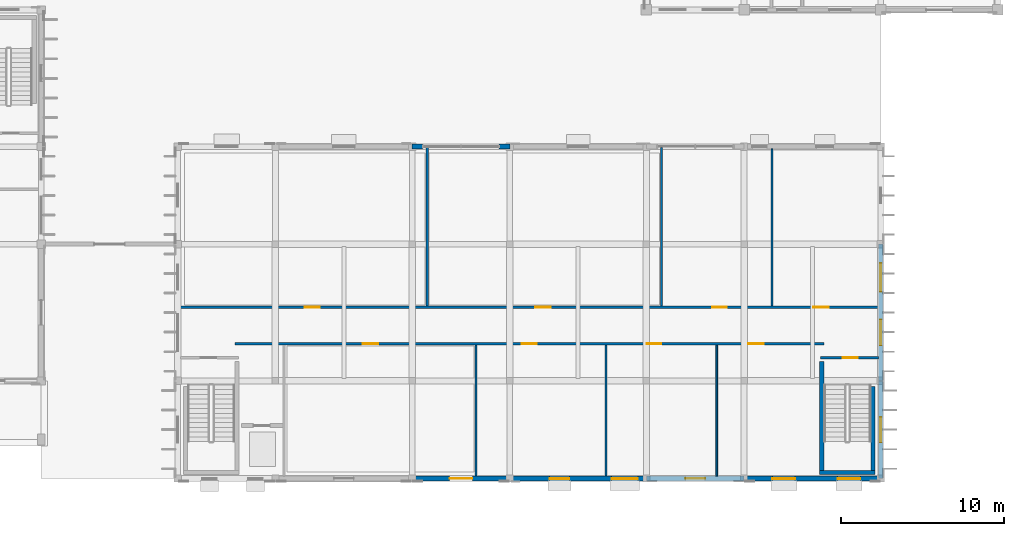
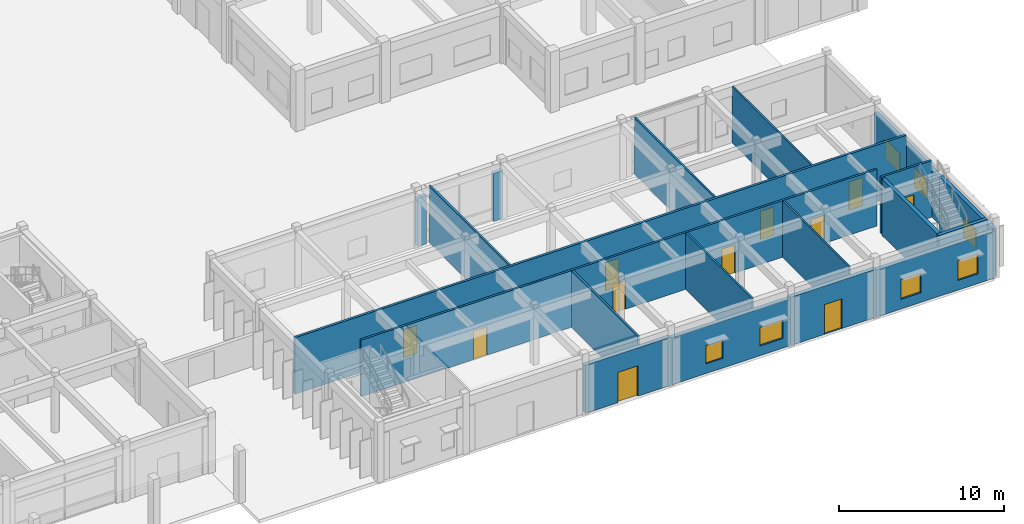
# One storey, part 42 of 67: 20 walls, 11 doors, 7 windows, 18 openings.
"""IFC4 building model written with IfcOpenShell, lengths in metres."""

from ifc_helpers import new_model, si_unit, direction, frame, frame_2d, origin, place, context, subcontext, project, spatial, rectangle, extrude, material, layer, layer_set, type_object, element, fill, save


model = new_model("IFC4")

# Units and contexts
model_context = context("Model", 3, precision=1e-05, world=origin(), true_north=direction((0.0, 1.0)))
body_context = subcontext(model_context, "Body", "Model", "MODEL_VIEW")
ifc_project = project(units=[si_unit("LENGTHUNIT", "METRE"), si_unit("AREAUNIT", "SQUARE_METRE"), si_unit("VOLUMEUNIT", "CUBIC_METRE"), si_unit("PLANEANGLEUNIT", "RADIAN"), si_unit("MASSUNIT", "GRAM", prefix="KILO"), si_unit("THERMODYNAMICTEMPERATUREUNIT", "KELVIN")], contexts=[model_context])

# Site, building, storey
site_placement = place(None, origin())
site = spatial("IfcSite", under=ifc_project, at=site_placement, CompositionType="ELEMENT")
building_placement = place(site_placement, origin())
building = spatial("IfcBuilding", under=site, at=building_placement, Name="Thalorik Housing Commons", CompositionType="ELEMENT")
storey_placement = place(building_placement, origin())
storey = spatial("IfcBuildingStorey", under=building, at=storey_placement, Name="L00", CompositionType="ELEMENT", Elevation=0.0)

# Walls
ifc_material_1 = material(Name="Concrete C40/50", Category="concrete")
ifc_layer_1 = layer(ifc_material_1, 0.25, Name="Concrete C40/50", Category="concrete")
ifc_layer_set_1 = layer_set([ifc_layer_1], Name="Concrete C40/50")
wall_type_1 = type_object("IfcWallType", Name="ARC-WAL-CORE-250", PredefinedType="SHEAR", material=ifc_layer_set_1)
wall_1_placement = place(storey_placement, frame((163.175048828125, 15.60009765625, 0.0), z_axis=(0.0, 0.0, 1.0), x_axis=(0.0, -1.0, 0.0)))
element("IfcWall", 1, at=wall_1_placement, inside=storey, type_object=wall_type_1, Name="L00 Stair ST-N2 Structural Support Wall L", PredefinedType="SHEAR", context=body_context, shape_type="SweptSolid", body=[
    extrude(rectangle(XDim=6.7001953125, YDim=0.25, at=frame_2d((3.35009765625, 0.0))), origin(), (0.0, 0.0, 1.0), 4.199951171875),
])
wall_2_placement = place(storey_placement, frame((166.324951171875, 14.050048828125, 0.0), z_axis=(0.0, 0.0, 1.0), x_axis=(0.0, -1.0, 0.0)))
element("IfcWall", 2, at=wall_2_placement, inside=storey, type_object=wall_type_1, Name="L00 Stair ST-N2 Structural Support Wall R", PredefinedType="SHEAR", context=body_context, shape_type="SweptSolid", body=[
    extrude(rectangle(XDim=5.150146484375, YDim=0.25, at=frame_2d((2.5751953125, 0.0))), origin(), (0.0, 0.0, 1.0), 4.199951171875),
])
wall_3_placement = place(storey_placement, frame((163.050048828125, 8.77490234375, 0.0), z_axis=(0.0, 0.0, 1.0), x_axis=(1.0, 0.0, 0.0)))
element("IfcWall", 3, at=wall_3_placement, inside=storey, type_object=wall_type_1, Name="L00 Stair ST-N2 Structural Support Wall F", PredefinedType="SHEAR", context=body_context, shape_type="SweptSolid", body=[
    extrude(rectangle(XDim=3.39990234375, YDim=0.25, at=frame_2d((1.699951171875, 0.0))), origin(), (0.0, 0.0, 1.0), 4.199951171875),
])

# Wall, openings, doors
ifc_material_2 = material(Name="Masonry fire-rated corridor wall", Category="masonry")
ifc_layer_2 = layer(ifc_material_2, 0.14990234375, Name="Masonry fire-rated corridor wall", Category="masonry")
ifc_layer_set_2 = layer_set([ifc_layer_2], Name="Masonry fire-rated corridor wall")
wall_type_2 = type_object("IfcWallType", Name="ARC-WAL-CORR-150", PredefinedType="PARTITIONING", material=ifc_layer_set_2)
wall_4_placement = place(storey_placement, frame((127.10009765625, 16.679931640625, 0.0), z_axis=(0.0, 0.0, 1.0), x_axis=(1.0, 0.0, 0.0)))
wall_4 = element("IfcWall", 4, at=wall_4_placement, inside=storey, type_object=wall_type_2, Name="L00 Nursery South Corridor Wall", PredefinedType="PARTITIONING", context=body_context, shape_type="SweptSolid", body=[
    extrude(rectangle(XDim=36.199951171875, YDim=0.14990234375, at=frame_2d((18.10009765625, 0.0))), origin(), (0.0, 0.0, 1.0), 4.199951171875),
])
opening_1_placement = place(wall_4_placement, frame((7.878173828125, 0.0, 0.0)))
opening_1 = element("IfcOpeningElement", 5, at=opening_1_placement, cuts=wall_4, Name="Opening ID-2190", PredefinedType="OPENING", context=body_context, shape_type="SweptSolid", body=[
    extrude(rectangle(XDim=0.949951171875, YDim=2.10009765625, at=frame_2d((0.47509765625, 1.050048828125))), frame((0.0, 0.0849609375, 0.0), z_axis=(0.0, -1.0, 0.0), x_axis=(1.0, 0.0, 0.0)), (0.0, 0.0, 1.0), 0.169921875),
])
opening_2_placement = place(wall_4_placement, frame((17.64990234375, 0.0, 0.0)))
opening_2 = element("IfcOpeningElement", 6, at=opening_2_placement, cuts=wall_4, Name="Opening ID-2191", PredefinedType="OPENING", context=body_context, shape_type="SweptSolid", body=[
    extrude(rectangle(XDim=0.89990234375, YDim=2.10009765625, at=frame_2d((0.449951171875, 1.050048828125))), frame((0.0, 0.0849609375, 0.0), z_axis=(0.0, -1.0, 0.0), x_axis=(1.0, 0.0, 0.0)), (0.0, 0.0, 1.0), 0.169921875),
])
opening_3_placement = place(wall_4_placement, frame((25.319091796875, 0.0, 0.0)))
opening_3 = element("IfcOpeningElement", 7, at=opening_3_placement, cuts=wall_4, Name="Opening ID-2192", PredefinedType="OPENING", context=body_context, shape_type="SweptSolid", body=[
    extrude(rectangle(XDim=0.89990234375, YDim=2.10009765625, at=frame_2d((0.449951171875, 1.050048828125))), frame((0.0, 0.0849609375, 0.0), z_axis=(0.0, -1.0, 0.0), x_axis=(1.0, 0.0, 0.0)), (0.0, 0.0, 1.0), 0.169921875),
])
opening_4_placement = place(wall_4_placement, frame((31.549072265625, 0.0, 0.0)))
opening_4 = element("IfcOpeningElement", 8, at=opening_4_placement, cuts=wall_4, Name="Opening ID-2193", PredefinedType="OPENING", context=body_context, shape_type="SweptSolid", body=[
    extrude(rectangle(XDim=0.949951171875, YDim=2.10009765625, at=frame_2d((0.47509765625, 1.050048828125))), frame((0.0, 0.0849609375, 0.0), z_axis=(0.0, -1.0, 0.0), x_axis=(1.0, 0.0, 0.0)), (0.0, 0.0, 1.0), 0.169921875),
])
ifc_material_3 = material(Name="Engineered oak timber", Category="wood")
door_type_1 = type_object("IfcDoorType", Name="ARC-DR-INT-900", OperationType="NOTDEFINED", PredefinedType="DOOR", material=ifc_material_3)
door_1_placement = place(opening_2_placement, origin())
door_1 = element("IfcDoor", 9, at=door_1_placement, inside=storey, type_object=door_type_1, Name="Milk Preparation Room Door", OperationType="SINGLE_SWING_RIGHT", OverallHeight=2.10009765625, OverallWidth=0.89990234375, PredefinedType="DOOR", context=body_context, shape_type="SweptSolid", body=[
    extrude(rectangle(XDim=0.89990234375, YDim=2.10009765625, at=frame_2d((0.449951171875, 1.050048828125))), frame((0.0, 0.02490234375, 0.0), z_axis=(0.0, -1.0, 0.0), x_axis=(1.0, 0.0, 0.0)), (0.0, 0.0, 1.0), 0.050048828125),
])
fill(opening_2, door_1)
door_2_placement = place(opening_3_placement, origin())
door_2 = element("IfcDoor", 10, at=door_2_placement, inside=storey, type_object=door_type_1, Name="Changing Room Door", OperationType="SINGLE_SWING_LEFT", OverallHeight=2.10009765625, OverallWidth=0.89990234375, PredefinedType="DOOR", context=body_context, shape_type="SweptSolid", body=[
    extrude(rectangle(XDim=0.89990234375, YDim=2.10009765625, at=frame_2d((0.449951171875, 1.050048828125))), frame((0.0, 0.02490234375, 0.0), z_axis=(0.0, -1.0, 0.0), x_axis=(1.0, 0.0, 0.0)), (0.0, 0.0, 1.0), 0.050048828125),
])
fill(opening_3, door_2)
door_type_2 = type_object("IfcDoorType", Name="ARC-DR-INT-950", OperationType="NOTDEFINED", PredefinedType="DOOR", material=ifc_material_3)
door_3_placement = place(opening_1_placement, origin())
door_3 = element("IfcDoor", 11, at=door_3_placement, inside=storey, type_object=door_type_2, Name="Infant Playroom Door", OperationType="SINGLE_SWING_LEFT", OverallHeight=2.10009765625, OverallWidth=0.949951171875, PredefinedType="DOOR", context=body_context, shape_type="SweptSolid", body=[
    extrude(rectangle(XDim=0.949951171875, YDim=2.10009765625, at=frame_2d((0.47509765625, 1.050048828125))), frame((0.0, 0.02490234375, 0.0), z_axis=(0.0, -1.0, 0.0), x_axis=(1.0, 0.0, 0.0)), (0.0, 0.0, 1.0), 0.050048828125),
])
fill(opening_1, door_3)
door_4_placement = place(opening_4_placement, origin())
door_4 = element("IfcDoor", 12, at=door_4_placement, inside=storey, type_object=door_type_2, Name="Nursery Administration Door", OperationType="SINGLE_SWING_RIGHT", OverallHeight=2.10009765625, OverallWidth=0.949951171875, PredefinedType="DOOR", context=body_context, shape_type="SweptSolid", body=[
    extrude(rectangle(XDim=0.949951171875, YDim=2.10009765625, at=frame_2d((0.47509765625, 1.050048828125))), frame((0.0, 0.02490234375, 0.0), z_axis=(0.0, -1.0, 0.0), x_axis=(1.0, 0.0, 0.0)), (0.0, 0.0, 1.0), 0.050048828125),
])
fill(opening_4, door_4)

ifc_layer_3 = layer(ifc_material_2, 0.1650390625, Name="Masonry fire-rated corridor wall", Category="masonry")
ifc_layer_set_3 = layer_set([ifc_layer_3], Name="Masonry fire-rated corridor wall")
wall_type_3 = type_object("IfcWallType", Name="ARC-WAL-CORR-165", PredefinedType="PARTITIONING", material=ifc_layer_set_3)
wall_5_placement = place(storey_placement, frame((123.7470703125, 18.919921875, 0.0), z_axis=(0.0, 0.0, 1.0), x_axis=(1.0, 0.0, 0.0)))
wall_5 = element("IfcWall", 13, at=wall_5_placement, inside=storey, type_object=wall_type_3, Name="L00 Nursery North Corridor Wall", PredefinedType="PARTITIONING", context=body_context, shape_type="SweptSolid", body=[
    extrude(rectangle(XDim=42.906005859375, YDim=0.1650390625, at=frame_2d((21.453125, 0.0))), origin(), (0.0, 0.0, 1.0), 4.199951171875),
])
opening_5_placement = place(wall_5_placement, frame((7.63720703125, 0.0, 0.0)))
opening_5 = element("IfcOpeningElement", 14, at=opening_5_placement, cuts=wall_5, Name="Opening ID-2194", PredefinedType="OPENING", context=body_context, shape_type="SweptSolid", body=[
    extrude(rectangle(XDim=0.949951171875, YDim=2.10009765625, at=frame_2d((0.47509765625, 1.050048828125))), frame((0.0, 0.092529296875, 0.0), z_axis=(0.0, -1.0, 0.0), x_axis=(1.0, 0.0, 0.0)), (0.0, 0.0, 1.0), 0.18505859375),
])
opening_6_placement = place(wall_5_placement, frame((21.811767578125, 0.0, 0.0)))
opening_6 = element("IfcOpeningElement", 15, at=opening_6_placement, cuts=wall_5, Name="Opening ID-2195", PredefinedType="OPENING", context=body_context, shape_type="SweptSolid", body=[
    extrude(rectangle(XDim=0.949951171875, YDim=2.10009765625, at=frame_2d((0.47509765625, 1.050048828125))), frame((0.0, 0.092529296875, 0.0), z_axis=(0.0, -1.0, 0.0), x_axis=(1.0, 0.0, 0.0)), (0.0, 0.0, 1.0), 0.18505859375),
])
opening_7_placement = place(wall_5_placement, frame((32.690185546875, 0.0, 0.0)))
opening_7 = element("IfcOpeningElement", 16, at=opening_7_placement, cuts=wall_5, Name="Opening ID-2196", PredefinedType="OPENING", context=body_context, shape_type="SweptSolid", body=[
    extrude(rectangle(XDim=0.89990234375, YDim=2.10009765625, at=frame_2d((0.449951171875, 1.050048828125))), frame((0.0, 0.092529296875, 0.0), z_axis=(0.0, -1.0, 0.0), x_axis=(1.0, 0.0, 0.0)), (0.0, 0.0, 1.0), 0.18505859375),
])
opening_8_placement = place(wall_5_placement, frame((38.90478515625, 0.0, 0.0)))
opening_8 = element("IfcOpeningElement", 17, at=opening_8_placement, cuts=wall_5, Name="Opening ID-2197", PredefinedType="OPENING", context=body_context, shape_type="SweptSolid", body=[
    extrude(rectangle(XDim=0.949951171875, YDim=2.10009765625, at=frame_2d((0.47509765625, 1.050048828125))), frame((0.0, 0.092529296875, 0.0), z_axis=(0.0, -1.0, 0.0), x_axis=(1.0, 0.0, 0.0)), (0.0, 0.0, 1.0), 0.18505859375),
])
door_5_placement = place(opening_7_placement, origin())
door_5 = element("IfcDoor", 18, at=door_5_placement, inside=storey, type_object=door_type_1, Name="Children's Bathroom Door", OperationType="SINGLE_SWING_LEFT", OverallHeight=2.10009765625, OverallWidth=0.89990234375, PredefinedType="DOOR", context=body_context, shape_type="SweptSolid", body=[
    extrude(rectangle(XDim=0.89990234375, YDim=2.10009765625, at=frame_2d((0.449951171875, 1.050048828125))), frame((0.0, 0.02490234375, 0.0), z_axis=(0.0, -1.0, 0.0), x_axis=(1.0, 0.0, 0.0)), (0.0, 0.0, 1.0), 0.050048828125),
])
fill(opening_7, door_5)
door_6_placement = place(opening_5_placement, origin())
door_6 = element("IfcDoor", 19, at=door_6_placement, inside=storey, type_object=door_type_2, Name="Toddler Playroom Door", OperationType="SINGLE_SWING_LEFT", OverallHeight=2.10009765625, OverallWidth=0.949951171875, PredefinedType="DOOR", context=body_context, shape_type="SweptSolid", body=[
    extrude(rectangle(XDim=0.949951171875, YDim=2.10009765625, at=frame_2d((0.47509765625, 1.050048828125))), frame((0.0, 0.02490234375, 0.0), z_axis=(0.0, -1.0, 0.0), x_axis=(1.0, 0.0, 0.0)), (0.0, 0.0, 1.0), 0.050048828125),
])
fill(opening_5, door_6)
door_7_placement = place(opening_6_placement, origin())
door_7 = element("IfcDoor", 20, at=door_7_placement, inside=storey, type_object=door_type_2, Name="Preschool Classroom Door", OperationType="SINGLE_SWING_RIGHT", OverallHeight=2.10009765625, OverallWidth=0.949951171875, PredefinedType="DOOR", context=body_context, shape_type="SweptSolid", body=[
    extrude(rectangle(XDim=0.949951171875, YDim=2.10009765625, at=frame_2d((0.47509765625, 1.050048828125))), frame((0.0, 0.02490234375, 0.0), z_axis=(0.0, -1.0, 0.0), x_axis=(1.0, 0.0, 0.0)), (0.0, 0.0, 1.0), 0.050048828125),
])
fill(opening_6, door_7)
door_8_placement = place(opening_8_placement, origin())
door_8 = element("IfcDoor", 21, at=door_8_placement, inside=storey, type_object=door_type_2, Name="Nursery Accessible Bathroom Door", OperationType="SINGLE_SWING_RIGHT", OverallHeight=2.10009765625, OverallWidth=0.949951171875, PredefinedType="DOOR", context=body_context, shape_type="SweptSolid", body=[
    extrude(rectangle(XDim=0.949951171875, YDim=2.10009765625, at=frame_2d((0.47509765625, 1.050048828125))), frame((0.0, 0.02490234375, 0.0), z_axis=(0.0, -1.0, 0.0), x_axis=(1.0, 0.0, 0.0)), (0.0, 0.0, 1.0), 0.050048828125),
])
fill(opening_8, door_8)

# Wall, opening, door
ifc_material_4 = material(Name="White precast concrete C40/50", Category="concrete")
ifc_layer_4 = layer(ifc_material_4, 0.2900390625, Name="White precast concrete C40/50", Category="concrete")
ifc_layer_set_4 = layer_set([ifc_layer_4], Name="White precast concrete C40/50")
wall_type_4 = type_object("IfcWallType", Name="ARC-WAL-EXT-290", PredefinedType="STANDARD", material=ifc_layer_set_4)
wall_6_placement = place(storey_placement, frame((138.0, 8.39990234375, 0.0), z_axis=(0.0, 0.0, 1.0), x_axis=(1.0, 0.0, 0.0)))
wall_6 = element("IfcWall", 22, at=wall_6_placement, inside=storey, type_object=wall_type_4, Name="L00 Exterior Wall WAL-NURS-L00-1325", PredefinedType="STANDARD", context=body_context, shape_type="SweptSolid", body=[
    extrude(rectangle(XDim=6.0, YDim=0.2900390625, at=frame_2d((3.0, 0.0))), origin(), (0.0, 0.0, 1.0), 3.5849609375),
])
opening_9_placement = place(wall_6_placement, frame((2.300048828125, 0.0, 0.0)))
opening_9 = element("IfcOpeningElement", 23, at=opening_9_placement, cuts=wall_6, Name="Opening ED-0443", PredefinedType="OPENING", context=body_context, shape_type="SweptSolid", body=[
    extrude(rectangle(XDim=1.39990234375, YDim=2.25, at=frame_2d((0.699951171875, 1.125))), frame((0.0, 0.155029296875, 0.0), z_axis=(0.0, -1.0, 0.0), x_axis=(1.0, 0.0, 0.0)), (0.0, 0.0, 1.0), 0.31005859375),
])
ifc_material_5 = material(Name="Anodised aluminium and laminated safety glass", Category="aluminium")
door_type_3 = type_object("IfcDoorType", Name="ARC-DR-EXT-NURS-1400", OperationType="NOTDEFINED", PredefinedType="DOOR", material=ifc_material_5)
door_9_placement = place(opening_9_placement, frame((1.39990234375, 0.0, 0.0), z_axis=(0.0, 0.0, 1.0), x_axis=(-1.0, 0.0, 0.0)))
door_9 = element("IfcDoor", 24, at=door_9_placement, inside=storey, type_object=door_type_3, Name="L00 Nursery Exit Door 3", OperationType="SLIDING_TO_LEFT", OverallHeight=2.25, OverallWidth=1.39990234375, PredefinedType="DOOR", context=body_context, shape_type="SweptSolid", body=[
    extrude(rectangle(XDim=1.39990234375, YDim=2.25, at=frame_2d((0.699951171875, 1.125))), frame((0.0, 0.02490234375, 0.0), z_axis=(0.0, -1.0, 0.0), x_axis=(1.0, 0.0, 0.0)), (0.0, 0.0, 1.0), 0.050048828125),
])
fill(opening_9, door_9)

# Wall, openings, windows
wall_7_placement = place(storey_placement, frame((144.0, 8.39990234375, 0.0), z_axis=(0.0, 0.0, 1.0), x_axis=(1.0, 0.0, 0.0)))
wall_7 = element("IfcWall", 25, at=wall_7_placement, inside=storey, type_object=wall_type_4, Name="L00 Exterior Wall WAL-NURS-L00-1326", PredefinedType="STANDARD", context=body_context, shape_type="SweptSolid", body=[
    extrude(rectangle(XDim=8.39990234375, YDim=0.2900390625, at=frame_2d((4.199951171875, 0.0))), origin(), (0.0, 0.0, 1.0), 3.485107421875),
])
opening_10_placement = place(wall_7_placement, frame((2.455078125, 0.0, 0.719970703125)))
opening_10 = element("IfcOpeningElement", 26, at=opening_10_placement, cuts=wall_7, Name="Opening W-04", PredefinedType="OPENING", context=body_context, shape_type="SweptSolid", body=[
    extrude(rectangle(XDim=1.199951171875, YDim=1.35009765625, at=frame_2d((0.60009765625, 0.675048828125))), frame((0.0, 0.155029296875, 0.0), z_axis=(0.0, -1.0, 0.0), x_axis=(1.0, 0.0, 0.0)), (0.0, 0.0, 1.0), 0.31005859375),
])
opening_11_placement = place(wall_7_placement, frame((6.2548828125, 0.0, 0.719970703125)))
opening_11 = element("IfcOpeningElement", 27, at=opening_11_placement, cuts=wall_7, Name="Opening W-54", PredefinedType="OPENING", context=body_context, shape_type="SweptSolid", body=[
    extrude(rectangle(XDim=1.6201171875, YDim=1.3798828125, at=frame_2d((0.81005859375, 0.68994140625))), frame((0.0, 0.155029296875, 0.0), z_axis=(0.0, -1.0, 0.0), x_axis=(1.0, 0.0, 0.0)), (0.0, 0.0, 1.0), 0.31005859375),
])
ifc_material_6 = material(Name="Anodised aluminium and solar-control low-E glass", Category="aluminium")
window_type_1 = type_object("IfcWindowType", Name="ARC-WIN-04", PartitioningType="SINGLE_PANEL", PredefinedType="WINDOW", material=ifc_material_6)
window_1_placement = place(opening_10_placement, origin())
window_1 = element("IfcWindow", 28, at=window_1_placement, inside=storey, type_object=window_type_1, Name="L00 Facade Window 2362", OverallHeight=1.35009765625, OverallWidth=1.199951171875, PartitioningType="SINGLE_PANEL", PredefinedType="WINDOW", context=body_context, shape_type="SweptSolid", body=[
    extrude(rectangle(XDim=1.199951171875, YDim=1.35009765625, at=frame_2d((0.60009765625, 0.675048828125))), frame((0.0, 0.030029296875, 0.0), z_axis=(0.0, -1.0, 0.0), x_axis=(1.0, 0.0, 0.0)), (0.0, 0.0, 1.0), 0.06005859375),
])
fill(opening_10, window_1)
window_type_2 = type_object("IfcWindowType", Name="ARC-WIN-54", PartitioningType="DOUBLE_PANEL_VERTICAL", PredefinedType="WINDOW", material=ifc_material_6)
window_2_placement = place(opening_11_placement, origin())
window_2 = element("IfcWindow", 29, at=window_2_placement, inside=storey, type_object=window_type_2, Name="L00 Facade Window 2363", OverallHeight=1.3798828125, OverallWidth=1.6201171875, PartitioningType="DOUBLE_PANEL_VERTICAL", PredefinedType="WINDOW", context=body_context, shape_type="SweptSolid", body=[
    extrude(rectangle(XDim=1.6201171875, YDim=1.3798828125, at=frame_2d((0.81005859375, 0.68994140625))), frame((0.0, 0.030029296875, 0.0), z_axis=(0.0, -1.0, 0.0), x_axis=(1.0, 0.0, 0.0)), (0.0, 0.0, 1.0), 0.06005859375),
])
fill(opening_11, window_2)

# Wall, opening, door
wall_8_placement = place(storey_placement, frame((152.39990234375, 8.39990234375, 0.0), z_axis=(0.0, 0.0, 1.0), x_axis=(1.0, 0.0, 0.0)))
wall_8 = element("IfcWall", 30, at=wall_8_placement, inside=storey, type_object=wall_type_4, Name="L00 Exterior Wall WAL-NURS-L00-1327", PredefinedType="STANDARD", context=body_context, shape_type="SweptSolid", body=[
    extrude(rectangle(XDim=6.0, YDim=0.2900390625, at=frame_2d((3.0, 0.0))), origin(), (0.0, 0.0, 1.0), 3.5849609375),
])
opening_12_placement = place(wall_8_placement, frame((2.39990234375, 0.0, 0.0)))
opening_12 = element("IfcOpeningElement", 31, at=opening_12_placement, cuts=wall_8, Name="Opening ED-0444", PredefinedType="OPENING", context=body_context, shape_type="SweptSolid", body=[
    extrude(rectangle(XDim=1.199951171875, YDim=2.199951171875, at=frame_2d((0.60009765625, 1.10009765625))), frame((0.0, 0.155029296875, 0.0), z_axis=(0.0, -1.0, 0.0), x_axis=(1.0, 0.0, 0.0)), (0.0, 0.0, 1.0), 0.31005859375),
])
door_type_4 = type_object("IfcDoorType", Name="ARC-DR-EXT-EXIT-1200", OperationType="NOTDEFINED", PredefinedType="DOOR", material=ifc_material_5)
door_10_placement = place(opening_12_placement, frame((1.199951171875, 0.0, 0.0), z_axis=(0.0, 0.0, 1.0), x_axis=(-1.0, 0.0, 0.0)))
door_10 = element("IfcDoor", 32, at=door_10_placement, inside=storey, type_object=door_type_4, Name="L00 Nursery Exit Door 5", OperationType="SINGLE_SWING_LEFT", OverallHeight=2.199951171875, OverallWidth=1.199951171875, PredefinedType="DOOR", context=body_context, shape_type="SweptSolid", body=[
    extrude(rectangle(XDim=1.199951171875, YDim=2.199951171875, at=frame_2d((0.60009765625, 1.10009765625))), frame((0.0, 0.02490234375, 0.0), z_axis=(0.0, -1.0, 0.0), x_axis=(1.0, 0.0, 0.0)), (0.0, 0.0, 1.0), 0.050048828125),
])
fill(opening_12, door_10)

# Wall, openings, windows
wall_9_placement = place(storey_placement, frame((158.39990234375, 8.39990234375, 0.0), z_axis=(0.0, 0.0, 1.0), x_axis=(1.0, 0.0, 0.0)))
wall_9 = element("IfcWall", 33, at=wall_9_placement, inside=storey, type_object=wall_type_4, Name="L00 Exterior Wall WAL-NURS-L00-1328", PredefinedType="STANDARD", context=body_context, shape_type="SweptSolid", body=[
    extrude(rectangle(XDim=8.400146484375, YDim=0.2900390625, at=frame_2d((4.2001953125, 0.0))), origin(), (0.0, 0.0, 1.0), 3.485107421875),
])
opening_13_placement = place(wall_9_placement, frame((1.7451171875, 0.0, 0.719970703125)))
opening_13 = element("IfcOpeningElement", 34, at=opening_13_placement, cuts=wall_9, Name="Opening W-08", PredefinedType="OPENING", context=body_context, shape_type="SweptSolid", body=[
    extrude(rectangle(XDim=1.39990234375, YDim=1.449951171875, at=frame_2d((0.699951171875, 0.72509765625))), frame((0.0, 0.155029296875, 0.0), z_axis=(0.0, -1.0, 0.0), x_axis=(1.0, 0.0, 0.0)), (0.0, 0.0, 1.0), 0.31005859375),
])
opening_14_placement = place(wall_9_placement, frame((5.7548828125, 0.0, 0.719970703125)))
opening_14 = element("IfcOpeningElement", 35, at=opening_14_placement, cuts=wall_9, Name="Opening W-08", PredefinedType="OPENING", context=body_context, shape_type="SweptSolid", body=[
    extrude(rectangle(XDim=1.39990234375, YDim=1.449951171875, at=frame_2d((0.699951171875, 0.72509765625))), frame((0.0, 0.155029296875, 0.0), z_axis=(0.0, -1.0, 0.0), x_axis=(1.0, 0.0, 0.0)), (0.0, 0.0, 1.0), 0.31005859375),
])
window_type_3 = type_object("IfcWindowType", Name="ARC-WIN-08", PartitioningType="SINGLE_PANEL", PredefinedType="WINDOW", material=ifc_material_6)
window_3_placement = place(opening_13_placement, origin())
window_3 = element("IfcWindow", 36, at=window_3_placement, inside=storey, type_object=window_type_3, Name="L00 Facade Window 2364", OverallHeight=1.449951171875, OverallWidth=1.39990234375, PartitioningType="SINGLE_PANEL", PredefinedType="WINDOW", context=body_context, shape_type="SweptSolid", body=[
    extrude(rectangle(XDim=1.39990234375, YDim=1.449951171875, at=frame_2d((0.699951171875, 0.72509765625))), frame((0.0, 0.030029296875, 0.0), z_axis=(0.0, -1.0, 0.0), x_axis=(1.0, 0.0, 0.0)), (0.0, 0.0, 1.0), 0.06005859375),
])
fill(opening_13, window_3)
window_4_placement = place(opening_14_placement, origin())
window_4 = element("IfcWindow", 37, at=window_4_placement, inside=storey, type_object=window_type_3, Name="L00 Facade Window 2365", OverallHeight=1.449951171875, OverallWidth=1.39990234375, PartitioningType="SINGLE_PANEL", PredefinedType="WINDOW", context=body_context, shape_type="SweptSolid", body=[
    extrude(rectangle(XDim=1.39990234375, YDim=1.449951171875, at=frame_2d((0.699951171875, 0.72509765625))), frame((0.0, 0.030029296875, 0.0), z_axis=(0.0, -1.0, 0.0), x_axis=(1.0, 0.0, 0.0)), (0.0, 0.0, 1.0), 0.06005859375),
])
fill(opening_14, window_4)

# Wall, opening, window
wall_10_placement = place(storey_placement, frame((166.800048828125, 8.39990234375, 0.0), z_axis=(0.0, 0.0, 1.0), x_axis=(0.0, 1.0, 0.0)))
wall_10 = element("IfcWall", 38, at=wall_10_placement, inside=storey, type_object=wall_type_4, Name="L00 Exterior Wall WAL-NURS-L00-1329", PredefinedType="STANDARD", context=body_context, shape_type="SweptSolid", body=[
    extrude(rectangle(XDim=6.0, YDim=0.2900390625, at=frame_2d((3.0, 0.0))), origin(), (0.0, 0.0, 1.0), 3.5849609375),
])
opening_15_placement = place(wall_10_placement, frame((2.22509765625, 0.0, 0.719970703125)))
opening_15 = element("IfcOpeningElement", 39, at=opening_15_placement, cuts=wall_10, Name="Opening W-12", PredefinedType="OPENING", context=body_context, shape_type="SweptSolid", body=[
    extrude(rectangle(XDim=1.550048828125, YDim=1.39990234375, at=frame_2d((0.77490234375, 0.699951171875))), frame((0.0, 0.155029296875, 0.0), z_axis=(0.0, -1.0, 0.0), x_axis=(1.0, 0.0, 0.0)), (0.0, 0.0, 1.0), 0.31005859375),
])
window_type_4 = type_object("IfcWindowType", Name="ARC-WIN-12", PartitioningType="SINGLE_PANEL", PredefinedType="WINDOW", material=ifc_material_6)
window_5_placement = place(opening_15_placement, origin())
window_5 = element("IfcWindow", 40, at=window_5_placement, inside=storey, type_object=window_type_4, Name="L00 Facade Window 2366", OverallHeight=1.39990234375, OverallWidth=1.550048828125, PartitioningType="SINGLE_PANEL", PredefinedType="WINDOW", context=body_context, shape_type="SweptSolid", body=[
    extrude(rectangle(XDim=1.550048828125, YDim=1.39990234375, at=frame_2d((0.77490234375, 0.699951171875))), frame((0.0, 0.030029296875, 0.0), z_axis=(0.0, -1.0, 0.0), x_axis=(1.0, 0.0, 0.0)), (0.0, 0.0, 1.0), 0.06005859375),
])
fill(opening_15, window_5)

# Wall, openings, windows
wall_11_placement = place(storey_placement, frame((166.800048828125, 14.39990234375, 0.0), z_axis=(0.0, 0.0, 1.0), x_axis=(0.0, 1.0, 0.0)))
wall_11 = element("IfcWall", 41, at=wall_11_placement, inside=storey, type_object=wall_type_4, Name="L00 Exterior Wall WAL-NURS-L00-1330", PredefinedType="STANDARD", context=body_context, shape_type="SweptSolid", body=[
    extrude(rectangle(XDim=8.400146484375, YDim=0.2900390625, at=frame_2d((4.2001953125, 0.0))), origin(), (0.0, 0.0, 1.0), 3.485107421875),
])
opening_16_placement = place(wall_11_placement, frame((2.179931640625, 0.0, 0.719970703125)))
opening_16 = element("IfcOpeningElement", 42, at=opening_16_placement, cuts=wall_11, Name="Opening W-53", PredefinedType="OPENING", context=body_context, shape_type="SweptSolid", body=[
    extrude(rectangle(XDim=1.580078125, YDim=1.47998046875, at=frame_2d((0.7900390625, 0.739990234375))), frame((0.0, 0.155029296875, 0.0), z_axis=(0.0, -1.0, 0.0), x_axis=(1.0, 0.0, 0.0)), (0.0, 0.0, 1.0), 0.31005859375),
])
opening_17_placement = place(wall_11_placement, frame((5.489990234375, 0.0, 0.719970703125)))
opening_17 = element("IfcOpeningElement", 43, at=opening_17_placement, cuts=wall_11, Name="Opening W-17", PredefinedType="OPENING", context=body_context, shape_type="SweptSolid", body=[
    extrude(rectangle(XDim=1.75, YDim=1.449951171875, at=frame_2d((0.875, 0.72509765625))), frame((0.0, 0.155029296875, 0.0), z_axis=(0.0, -1.0, 0.0), x_axis=(1.0, 0.0, 0.0)), (0.0, 0.0, 1.0), 0.31005859375),
])
window_type_5 = type_object("IfcWindowType", Name="ARC-WIN-17", PartitioningType="DOUBLE_PANEL_VERTICAL", PredefinedType="WINDOW", material=ifc_material_6)
window_6_placement = place(opening_17_placement, origin())
window_6 = element("IfcWindow", 44, at=window_6_placement, inside=storey, type_object=window_type_5, Name="L00 Facade Window 2368", OverallHeight=1.449951171875, OverallWidth=1.75, PartitioningType="DOUBLE_PANEL_VERTICAL", PredefinedType="WINDOW", context=body_context, shape_type="SweptSolid", body=[
    extrude(rectangle(XDim=1.75, YDim=1.449951171875, at=frame_2d((0.875, 0.72509765625))), frame((0.0, 0.030029296875, 0.0), z_axis=(0.0, -1.0, 0.0), x_axis=(1.0, 0.0, 0.0)), (0.0, 0.0, 1.0), 0.06005859375),
])
fill(opening_17, window_6)
window_type_6 = type_object("IfcWindowType", Name="ARC-WIN-53", PartitioningType="SINGLE_PANEL", PredefinedType="WINDOW", material=ifc_material_6)
window_7_placement = place(opening_16_placement, origin())
window_7 = element("IfcWindow", 45, at=window_7_placement, inside=storey, type_object=window_type_6, Name="L00 Facade Window 2367", OverallHeight=1.47998046875, OverallWidth=1.580078125, PartitioningType="SINGLE_PANEL", PredefinedType="WINDOW", context=body_context, shape_type="SweptSolid", body=[
    extrude(rectangle(XDim=1.580078125, YDim=1.47998046875, at=frame_2d((0.7900390625, 0.739990234375))), frame((0.0, 0.030029296875, 0.0), z_axis=(0.0, -1.0, 0.0), x_axis=(1.0, 0.0, 0.0)), (0.0, 0.0, 1.0), 0.06005859375),
])
fill(opening_16, window_7)

# Walls
for number, where, z_axis, x_axis, name in (
    (46, (144.0, 28.800048828125, 0.0), (0.0, 0.0, 1.0), (-1.0, 0.0, 0.0), "L00 Exterior Wall WAL-NURSPL-L00-1335"),
    (47, (138.64990234375, 28.800048828125, 0.0), (0.0, 0.0, 1.0), (-1.0, 0.0, 0.0), "L00 Exterior Wall WAL-NURSPR-L00-1335"),
):
    element("IfcWall", number, at=place(storey_placement, frame(where, z_axis=z_axis, x_axis=x_axis)), inside=storey, type_object=wall_type_4, Name=name, PredefinedType="STANDARD", context=body_context, shape_type="SweptSolid", body=[
        extrude(rectangle(XDim=0.64990234375, YDim=0.2900390625, at=frame_2d((0.324951171875, 0.0))), origin(), (0.0, 0.0, 1.0), 3.5849609375),
    ])
ifc_material_7 = material(Name="Gypsum moisture-resistant partition", Category="masonry")
ifc_layer_5 = layer(ifc_material_7, 0.114990234375, Name="Gypsum moisture-resistant partition", Category="masonry")
ifc_layer_set_5 = layer_set([ifc_layer_5], Name="Gypsum moisture-resistant partition")
wall_type_5 = type_object("IfcWallType", Name="ARC-WAL-PART-115", PredefinedType="PARTITIONING", material=ifc_layer_set_5)
wall_12_placement = place(storey_placement, frame((156.719970703125, 8.547119140625, 0.0), z_axis=(0.0, 0.0, 1.0), x_axis=(0.0, 1.0, 0.0)))
element("IfcWall", 48, at=wall_12_placement, inside=storey, type_object=wall_type_5, Name="L00 Nursery South Room Divider", PredefinedType="PARTITIONING", context=body_context, shape_type="SweptSolid", body=[
    extrude(rectangle(XDim=8.055908203125, YDim=0.114990234375, at=frame_2d((4.02783203125, 0.0))), origin(), (0.0, 0.0, 1.0), 4.199951171875),
])
wall_13_placement = place(storey_placement, frame((160.1201171875, 19.00439453125, 0.0), z_axis=(0.0, 0.0, 1.0), x_axis=(0.0, 1.0, 0.0)))
element("IfcWall", 49, at=wall_13_placement, inside=storey, type_object=wall_type_5, Name="L00 Nursery North Room Divider", PredefinedType="PARTITIONING", context=body_context, shape_type="SweptSolid", body=[
    extrude(rectangle(XDim=9.648681640625, YDim=0.114990234375, at=frame_2d((4.82421875, 0.0))), origin(), (0.0, 0.0, 1.0), 4.199951171875),
])
ifc_material_8 = material(Name="Gypsum acoustic stud partition", Category="masonry")
ifc_layer_6 = layer(ifc_material_8, 0.125, Name="Gypsum acoustic stud partition", Category="masonry")
ifc_layer_set_6 = layer_set([ifc_layer_6], Name="Gypsum acoustic stud partition")
wall_type_6 = type_object("IfcWallType", Name="ARC-WAL-PART-125", PredefinedType="PARTITIONING", material=ifc_layer_set_6)
wall_14_placement = place(storey_placement, frame((149.919921875, 8.547119140625, 0.0), z_axis=(0.0, 0.0, 1.0), x_axis=(0.0, 1.0, 0.0)))
element("IfcWall", 50, at=wall_14_placement, inside=storey, type_object=wall_type_6, Name="L00 Nursery South Room Divider", PredefinedType="PARTITIONING", context=body_context, shape_type="SweptSolid", body=[
    extrude(rectangle(XDim=8.055908203125, YDim=0.125, at=frame_2d((4.02783203125, 0.0))), origin(), (0.0, 0.0, 1.0), 4.199951171875),
])
wall_15_placement = place(storey_placement, frame((153.320068359375, 19.00439453125, 0.0), z_axis=(0.0, 0.0, 1.0), x_axis=(0.0, 1.0, 0.0)))
element("IfcWall", 51, at=wall_15_placement, inside=storey, type_object=wall_type_6, Name="L00 Nursery North Room Divider", PredefinedType="PARTITIONING", context=body_context, shape_type="SweptSolid", body=[
    extrude(rectangle(XDim=9.735595703125, YDim=0.125, at=frame_2d((4.86767578125, 0.0))), origin(), (0.0, 0.0, 1.0), 4.199951171875),
])
ifc_material_9 = material(Name="Ceramic masonry partition wall", Category="masonry")
ifc_layer_7 = layer(ifc_material_9, 0.139892578125, Name="Ceramic masonry partition wall", Category="masonry")
ifc_layer_set_7 = layer_set([ifc_layer_7], Name="Ceramic masonry partition wall")
wall_type_7 = type_object("IfcWallType", Name="ARC-WAL-PART-140", PredefinedType="PARTITIONING", material=ifc_layer_set_7)
wall_16_placement = place(storey_placement, frame((141.919921875, 8.547119140625, 0.0), z_axis=(0.0, 0.0, 1.0), x_axis=(0.0, 1.0, 0.0)))
element("IfcWall", 52, at=wall_16_placement, inside=storey, type_object=wall_type_7, Name="L00 Nursery South Room Divider", PredefinedType="PARTITIONING", context=body_context, shape_type="SweptSolid", body=[
    extrude(rectangle(XDim=8.055908203125, YDim=0.139892578125, at=frame_2d((4.02783203125, 0.0))), origin(), (0.0, 0.0, 1.0), 4.199951171875),
])
wall_17_placement = place(storey_placement, frame((138.919921875, 19.00439453125, 0.0), z_axis=(0.0, 0.0, 1.0), x_axis=(0.0, 1.0, 0.0)))
element("IfcWall", 53, at=wall_17_placement, inside=storey, type_object=wall_type_7, Name="L00 Nursery North Room Divider", PredefinedType="PARTITIONING", context=body_context, shape_type="SweptSolid", body=[
    extrude(rectangle(XDim=9.735595703125, YDim=0.139892578125, at=frame_2d((4.86767578125, 0.0))), origin(), (0.0, 0.0, 1.0), 4.199951171875),
])

# Wall, opening, door
ifc_layer_8 = layer(ifc_material_9, 0.14794921875, Name="Ceramic masonry partition wall", Category="masonry")
ifc_layer_set_8 = layer_set([ifc_layer_8], Name="Ceramic masonry partition wall")
wall_type_8 = type_object("IfcWallType", Name="ARC-WAL-PART-150", PredefinedType="PARTITIONING", material=ifc_layer_set_8)
wall_18_placement = place(storey_placement, frame((163.10009765625, 15.820068359375, 0.0), z_axis=(0.0, 0.0, 1.0), x_axis=(1.0, 0.0, 0.0)))
wall_18 = element("IfcWall", 54, at=wall_18_placement, inside=storey, type_object=wall_type_8, Name="L00 Nursery East Stair North Wall", PredefinedType="PARTITIONING", context=body_context, shape_type="SweptSolid", body=[
    extrude(rectangle(XDim=3.552978515625, YDim=0.14794921875, at=frame_2d((1.7763671875, 0.0))), origin(), (0.0, 0.0, 1.0), 4.199951171875),
])
opening_18_placement = place(wall_18_placement, frame((1.35009765625, 0.0, 0.0)))
opening_18 = element("IfcOpeningElement", 55, at=opening_18_placement, cuts=wall_18, Name="Opening ID-2200", PredefinedType="OPENING", context=body_context, shape_type="SweptSolid", body=[
    extrude(rectangle(XDim=0.949951171875, YDim=2.10009765625, at=frame_2d((0.47509765625, 1.050048828125))), frame((0.0, 0.083984375, 0.0), z_axis=(0.0, -1.0, 0.0), x_axis=(1.0, 0.0, 0.0)), (0.0, 0.0, 1.0), 0.16796875),
])
ifc_material_10 = material(Name="Steel S355", Category="steel")
door_type_5 = type_object("IfcDoorType", Name="ARC-DR-FD60-950", OperationType="NOTDEFINED", PredefinedType="DOOR", material=ifc_material_10)
door_11_placement = place(opening_18_placement, origin())
door_11 = element("IfcDoor", 56, at=door_11_placement, inside=storey, type_object=door_type_5, Name="L00 Stair ST-N2 Fire Door", OperationType="SINGLE_SWING_RIGHT", OverallHeight=2.10009765625, OverallWidth=0.949951171875, PredefinedType="DOOR", context=body_context, shape_type="SweptSolid", body=[
    extrude(rectangle(XDim=0.949951171875, YDim=2.10009765625, at=frame_2d((0.47509765625, 1.050048828125))), frame((0.0, 0.02490234375, 0.0), z_axis=(0.0, -1.0, 0.0), x_axis=(1.0, 0.0, 0.0)), (0.0, 0.0, 1.0), 0.050048828125),
])
fill(opening_18, door_11)

save(model, "model.ifc")
